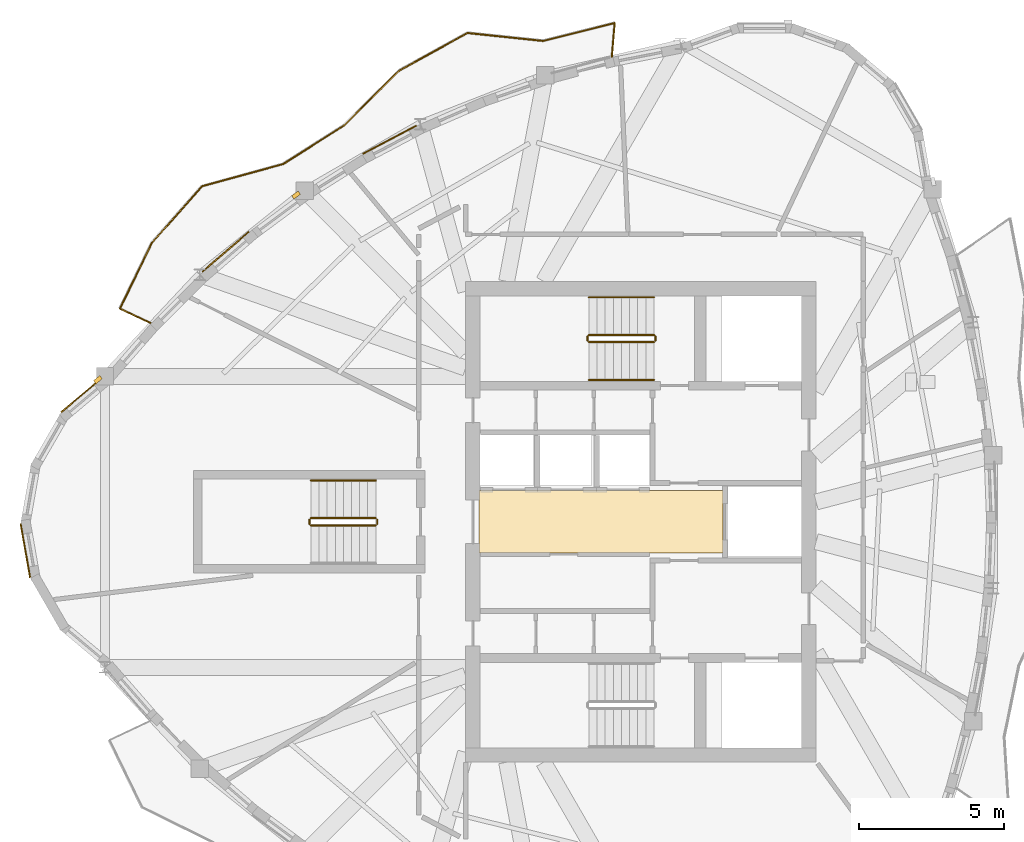
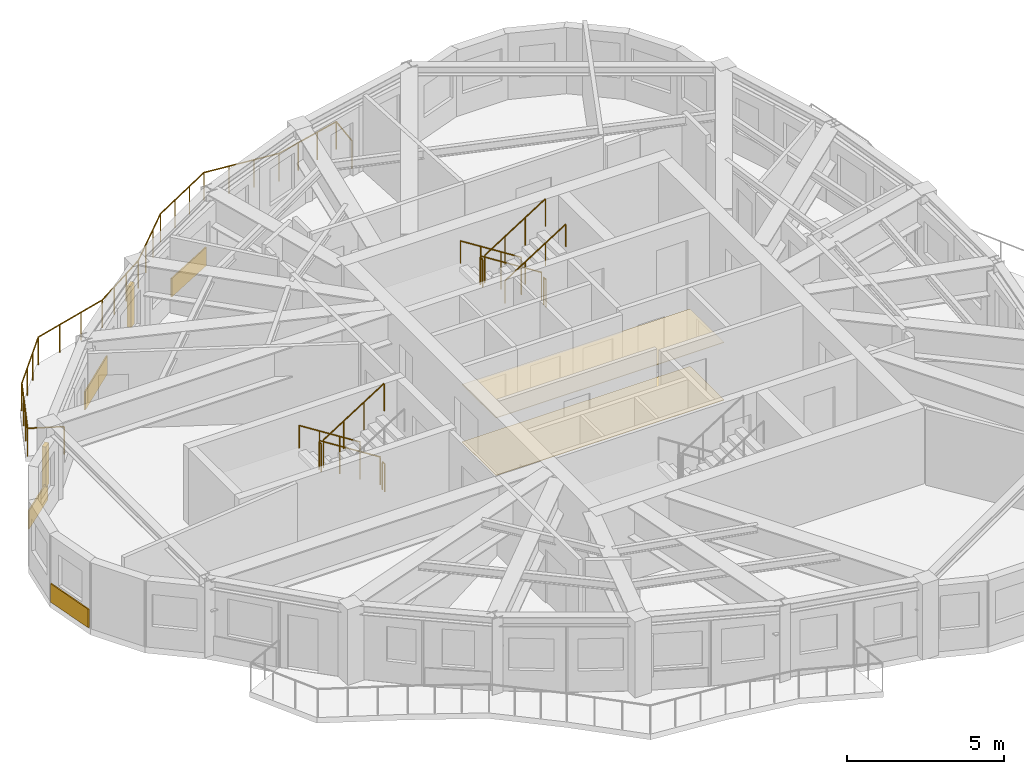
# One storey, part 9 of 11: 12 railings, 6 coverings, 2 shading devices.
"""IFC4 building model written with IfcOpenShell, lengths in metres."""

from ifc_helpers import new_model, si_unit, direction, frame, origin, origin_2d, place, context, subcontext, project, spatial, polyline, rectangle, circle, outline, extrude, source, transform, mapped, material, layer, layer_set, type_object, element, save


model = new_model("IFC4")

# Units and contexts
model_context = context("Model", 3, precision=1e-05, world=origin(), true_north=direction((0.0, 1.0)))
body_context = subcontext(model_context, "Body", "Model", "MODEL_VIEW")
ifc_project = project(units=[si_unit("LENGTHUNIT", "METRE"), si_unit("AREAUNIT", "SQUARE_METRE"), si_unit("VOLUMEUNIT", "CUBIC_METRE"), si_unit("PLANEANGLEUNIT", "RADIAN"), si_unit("MASSUNIT", "GRAM", prefix="KILO")], contexts=[model_context])

# Site, building, storey
site_placement = place(None, origin())
site = spatial("IfcSite", under=ifc_project, at=site_placement, CompositionType="ELEMENT")
building_placement = place(site_placement, origin())
building = spatial("IfcBuilding", under=site, at=building_placement, Name="Qafzar Sky-Pleat Residences", CompositionType="ELEMENT")
storey_placement = place(building_placement, frame((0.0, 0.0, 221.199951171875)))
storey = spatial("IfcBuildingStorey", under=building, at=storey_placement, Name="L66", CompositionType="ELEMENT", Elevation=221.199951171875)

# Coverings
ifc_material_1 = material(Name="Perforated acoustic gypsum board ceiling")
ifc_layer_1 = layer(ifc_material_1, 0.02001953125)
ifc_layer_set_1 = layer_set([ifc_layer_1], Name="Perforated acoustic gypsum board ceiling")
covering_type_1 = type_object("IfcCoveringType", Name="COV-CEIL-ACOUSTIC", PredefinedType="CEILING", material=ifc_layer_set_1)
covering_1_placement = place(storey_placement, frame((0.0, 0.0, 2.239990234375)))
element("IfcCovering", 1, at=covering_1_placement, inside=storey, type_object=covering_type_1, Name="L66 Passenger Lift Lobby Acoustic Ceiling", PredefinedType="CEILING", context=body_context, shape_type="SweptSolid", body=[
    extrude(outline(polyline([(33.179931640625, 24.919921875), (24.77001953125, 24.919921875), (24.77001953125, 27.080078125), (33.179931640625, 27.080078125), (33.179931640625, 24.919921875)])), origin(), (0.0, 0.0, 1.0), 0.02001953125),
])
ifc_material_2 = material(Name="Honed porcelain and Riyadh stone tile flooring", Category="masonry")
ifc_layer_2 = layer(ifc_material_2, 0.02001953125)
ifc_layer_set_2 = layer_set([ifc_layer_2], Name="Honed porcelain and Riyadh stone tile flooring")
covering_type_2 = type_object("IfcCoveringType", Name="COV-FLR-PORCELAIN", PredefinedType="FLOORING", material=ifc_layer_set_2)
covering_2_placement = place(storey_placement, origin())
element("IfcCovering", 2, at=covering_2_placement, inside=storey, type_object=covering_type_2, Name="L66 Passenger Lift Lobby Honed Stone Flooring", PredefinedType="FLOORING", context=body_context, shape_type="SweptSolid", body=[
    extrude(outline(polyline([(33.179931640625, 24.919921875), (24.77001953125, 24.919921875), (24.77001953125, 27.080078125), (33.179931640625, 27.080078125), (33.179931640625, 24.919921875)])), origin(), (0.0, 0.0, 1.0), 0.02001953125),
])

# Shading devices
ifc_material_3 = material(Name="Honed Riyadh limestone solar fin", Category="masonry")
ifc_layer_3 = layer(ifc_material_3, 0.139892578125)
ifc_layer_set_3 = layer_set([ifc_layer_3], Name="Honed Riyadh limestone solar fin")
shading_device_type = type_object("IfcShadingDeviceType", Name="SHD-FIN-STONE", PredefinedType="SHUTTER", material=ifc_layer_set_3)
shared_shape_1 = source(origin(), body_context, "Body", "SweptSolid", [
    extrude(rectangle(XDim=0.139892578125, YDim=0.280029296875, at=origin_2d()), origin(), (0.0, 0.0, 1.0), 1.60009765625),
])
for number, where, z_axis, x_axis, name in (
    (3, (11.608154296875, 30.90478515625, 0.60009765625), (0.0, 0.0, 1.0), (-0.642754210861, 0.76607246682, 0.0), "L66 Limestone Solar Fin 1"),
    (4, (18.4462890625, 37.279296875, 0.60009765625), (0.0, 0.0, 1.0), (-0.594882727746, 0.803812503156, 0.0), "L66 Limestone Solar Fin 45"),
):
    element("IfcShadingDevice", number, at=place(storey_placement, frame(where, z_axis=z_axis, x_axis=x_axis)), inside=storey, type_object=shading_device_type, Name=name, PredefinedType="SHUTTER", context=body_context, shape_type="MappedRepresentation", body=[
        mapped(shared_shape_1, transform((0.0, 0.0, 0.0), x_axis=(1.0, 0.0, 0.0), y_axis=(0.0, 1.0, 0.0), z_axis=(0.0, 0.0, 1.0), scale=1.0)),
    ])

# Coverings
ifc_material_4 = material(Name="Honed Riyadh Tuwaiq limestone cladding", Category="masonry")
ifc_layer_4 = layer(ifc_material_4, 0.044921875)
ifc_layer_set_4 = layer_set([ifc_layer_4], Name="Honed Riyadh Tuwaiq limestone cladding")
covering_type_3 = type_object("IfcCoveringType", Name="COV-CLAD-STONE", PredefinedType="CLADDING", material=ifc_layer_set_4)
shared_shape_2 = source(origin(), body_context, "Body", "SweptSolid", [
    extrude(rectangle(XDim=1.88134765625, YDim=0.044921875, at=origin_2d()), origin(), (0.0, 0.0, 1.0), 0.719970703125),
])
covering_3_placement = place(storey_placement, frame((9.103271484375, 25.00439453125, 0.02001953125), z_axis=(0.0, 0.0, 1.0), x_axis=(0.173662519465, -0.984805224059, 0.0)))
element("IfcCovering", 5, at=covering_3_placement, inside=storey, type_object=covering_type_3, Name="L66 Riyadh Limestone Spandrel Cladding 4", PredefinedType="CLADDING", context=body_context, shape_type="MappedRepresentation", body=[
    mapped(shared_shape_2, transform((0.0, 0.0, 0.0), x_axis=(1.0, 0.0, 0.0), y_axis=(0.0, 1.0, 0.0), z_axis=(0.0, 0.0, 1.0), scale=1.0)),
])
shared_shape_3 = source(origin(), body_context, "Body", "SweptSolid", [
    extrude(rectangle(XDim=1.76611328125, YDim=0.044921875, at=origin_2d()), origin(), (0.0, 0.0, 1.0), 0.719970703125),
])
covering_4_placement = place(storey_placement, frame((11.015380859375, 30.351318359375, 0.02001953125), z_axis=(0.0, 0.0, 1.0), x_axis=(-0.76607417096, -0.642752179762, 0.0)))
element("IfcCovering", 6, at=covering_4_placement, inside=storey, type_object=covering_type_3, Name="L66 Riyadh Limestone Spandrel Cladding 1", PredefinedType="CLADDING", context=body_context, shape_type="MappedRepresentation", body=[
    mapped(shared_shape_3, transform((0.0, 0.0, 0.0), x_axis=(1.0, 0.0, 0.0), y_axis=(0.0, 1.0, 0.0), z_axis=(0.0, 0.0, 1.0), scale=1.0)),
])
shared_shape_4 = source(origin(), body_context, "Body", "SweptSolid", [
    extrude(rectangle(XDim=2.0830078125, YDim=0.044921875, at=origin_2d()), origin(), (0.0, 0.0, 1.0), 0.719970703125),
])
covering_5_placement = place(storey_placement, frame((21.677001953125, 39.1904296875, 0.02001953125), z_axis=(0.0, 0.0, 1.0), x_axis=(-0.884395651499, -0.466737968896, 0.0)))
element("IfcCovering", 7, at=covering_5_placement, inside=storey, type_object=covering_type_3, Name="L66 Riyadh Limestone Spandrel Cladding 43", PredefinedType="CLADDING", context=body_context, shape_type="MappedRepresentation", body=[
    mapped(shared_shape_4, transform((0.0, 0.0, 0.0), x_axis=(1.0, 0.0, 0.0), y_axis=(0.0, 1.0, 0.0), z_axis=(0.0, 0.0, 1.0), scale=1.0)),
])
shared_shape_5 = source(origin(), body_context, "Body", "SweptSolid", [
    extrude(rectangle(XDim=2.11865234375, YDim=0.044921875, at=origin_2d()), origin(), (0.0, 0.0, 1.0), 0.719970703125),
])
covering_6_placement = place(storey_placement, frame((16.01953125, 35.324462890625, 0.02001953125), z_axis=(0.0, 0.0, 1.0), x_axis=(-0.757484574267, -0.652853061376, 0.0)))
element("IfcCovering", 8, at=covering_6_placement, inside=storey, type_object=covering_type_3, Name="L66 Riyadh Limestone Spandrel Cladding 46", PredefinedType="CLADDING", context=body_context, shape_type="MappedRepresentation", body=[
    mapped(shared_shape_5, transform((0.0, 0.0, 0.0), x_axis=(1.0, 0.0, 0.0), y_axis=(0.0, 1.0, 0.0), z_axis=(0.0, 0.0, 1.0), scale=1.0)),
])

# Railings
ifc_material_5 = material(Name="Laminated glass and bronze steel balustrade", Category="steel")
railing_type_1 = type_object("IfcRailingType", Name="RAIL-BAL-1100", PredefinedType="BALUSTRADE", material=ifc_material_5)
shared_shape_6 = source(origin(), body_context, "Body", "SweptSolid", [
    extrude(circle(Radius=0.02392578125, at=origin_2d()), frame((0.0, 0.0, 1.076171875), z_axis=(0.083525741436, 0.996505619913, 0.0), x_axis=(-0.996505619913, 0.083525741436, 0.0)), (0.0, 0.0, 1.0), 1.177978515625),
    extrude(circle(Radius=0.02392578125, at=origin_2d()), frame((0.098388671875, 1.173828125, 1.076171875), z_axis=(-0.970085963731, -0.242761658779, 0.0), x_axis=(0.242761658779, -0.970085963731, 0.0)), (0.0, 0.0, 1.0), 2.541259765625),
    extrude(circle(Radius=0.02392578125, at=origin_2d()), frame((-2.366943359375, 0.556884765625, 1.076171875), z_axis=(-0.994540528943, 0.104351024386, 0.0), x_axis=(-0.104351024386, -0.994540528943, 0.0)), (0.0, 0.0, 1.0), 2.62744140625),
    extrude(circle(Radius=0.02392578125, at=origin_2d()), frame((-4.97998046875, 0.8310546875, 1.076171875), z_axis=(-0.875910423282, -0.482473761345, 0.0), x_axis=(0.482473761345, -0.875910423282, 0.0)), (0.0, 0.0, 1.0), 2.684326171875),
    extrude(circle(Radius=0.02392578125, at=origin_2d()), frame((-7.331298828125, -0.464111328125, 1.076171875), z_axis=(-0.709638596907, -0.704565867595, 0.0), x_axis=(0.704565867595, -0.709638596907, 0.0)), (0.0, 0.0, 1.0), 2.695068359375),
    extrude(circle(Radius=0.02392578125, at=origin_2d()), frame((-9.243896484375, -2.363037109375, 1.076171875), z_axis=(-0.84481759386, -0.535054420695, 0.0), x_axis=(0.535054420695, -0.84481759386, 0.0)), (0.0, 0.0, 1.0), 2.482666015625),
    extrude(circle(Radius=0.02392578125, at=origin_2d()), frame((-11.34130859375, -3.69140625, 1.076171875), z_axis=(-0.964468266702, -0.264198717871, 0.0), x_axis=(0.264198717871, -0.964468266702, 0.0)), (0.0, 0.0, 1.0), 2.903564453125),
    extrude(circle(Radius=0.02392578125, at=origin_2d()), frame((-14.1416015625, -4.45849609375, 1.076171875), z_axis=(-0.663436920311, -0.748232218478, 0.0), x_axis=(0.748232218478, -0.663436920311, 0.0)), (0.0, 0.0, 1.0), 2.6171875),
    extrude(circle(Radius=0.02392578125, at=origin_2d()), frame((-15.8779296875, -6.416748046875, 1.076171875), z_axis=(-0.436294891901, -0.899803738213, 0.0), x_axis=(0.899803738213, -0.436294891901, 0.0)), (0.0, 0.0, 1.0), 2.52099609375),
    extrude(circle(Radius=0.02392578125, at=origin_2d()), frame((-16.977783203125, -8.68505859375, 1.076171875), z_axis=(0.904748228612, -0.42594676055, 0.0), x_axis=(0.42594676055, 0.904748228612, 0.0)), (0.0, 0.0, 1.0), 1.177978515625),
    extrude(circle(Radius=0.02099609375, at=origin_2d()), origin(), (0.0, 0.0, 1.0), 1.052001953125),
    extrude(circle(Radius=0.02099609375, at=origin_2d()), frame((0.098388671875, 1.173828125, 0.0)), (0.0, 0.0, 1.0), 1.052001953125),
    extrude(circle(Radius=0.02099609375, at=origin_2d()), frame((-0.723388671875, 0.96826171875, 0.0)), (0.0, 0.0, 1.0), 1.052001953125),
    extrude(circle(Radius=0.02099609375, at=origin_2d()), frame((-1.545166015625, 0.762451171875, 0.0)), (0.0, 0.0, 1.0), 1.052001953125),
    extrude(circle(Radius=0.02099609375, at=origin_2d()), frame((-2.366943359375, 0.556884765625, 0.0)), (0.0, 0.0, 1.0), 1.052001953125),
    extrude(circle(Radius=0.02099609375, at=origin_2d()), frame((-3.238037109375, 0.648193359375, 0.0)), (0.0, 0.0, 1.0), 1.052001953125),
    extrude(circle(Radius=0.02099609375, at=origin_2d()), frame((-4.10888671875, 0.73974609375, 0.0)), (0.0, 0.0, 1.0), 1.052001953125),
    extrude(circle(Radius=0.02099609375, at=origin_2d()), frame((-4.97998046875, 0.8310546875, 0.0)), (0.0, 0.0, 1.0), 1.052001953125),
    extrude(circle(Radius=0.02099609375, at=origin_2d()), frame((-5.763671875, 0.3994140625, 0.0)), (0.0, 0.0, 1.0), 1.052001953125),
    extrude(circle(Radius=0.02099609375, at=origin_2d()), frame((-6.547607421875, -0.032470703125, 0.0)), (0.0, 0.0, 1.0), 1.052001953125),
    extrude(circle(Radius=0.02099609375, at=origin_2d()), frame((-7.331298828125, -0.464111328125, 0.0)), (0.0, 0.0, 1.0), 1.052001953125),
    extrude(circle(Radius=0.02099609375, at=origin_2d()), frame((-7.96875, -1.09716796875, 0.0)), (0.0, 0.0, 1.0), 1.052001953125),
    extrude(circle(Radius=0.02099609375, at=origin_2d()), frame((-8.6064453125, -1.72998046875, 0.0)), (0.0, 0.0, 1.0), 1.052001953125),
    extrude(circle(Radius=0.02099609375, at=origin_2d()), frame((-9.243896484375, -2.363037109375, 0.0)), (0.0, 0.0, 1.0), 1.052001953125),
    extrude(circle(Radius=0.02099609375, at=origin_2d()), frame((-9.943115234375, -2.805908203125, 0.0)), (0.0, 0.0, 1.0), 1.052001953125),
    extrude(circle(Radius=0.02099609375, at=origin_2d()), frame((-10.64208984375, -3.24853515625, 0.0)), (0.0, 0.0, 1.0), 1.052001953125),
    extrude(circle(Radius=0.02099609375, at=origin_2d()), frame((-11.34130859375, -3.69140625, 0.0)), (0.0, 0.0, 1.0), 1.052001953125),
    extrude(circle(Radius=0.02099609375, at=origin_2d()), frame((-12.274658203125, -3.947021484375, 0.0)), (0.0, 0.0, 1.0), 1.052001953125),
    extrude(circle(Radius=0.02099609375, at=origin_2d()), frame((-13.208251953125, -4.202880859375, 0.0)), (0.0, 0.0, 1.0), 1.052001953125),
    extrude(circle(Radius=0.02099609375, at=origin_2d()), frame((-14.1416015625, -4.45849609375, 0.0)), (0.0, 0.0, 1.0), 1.052001953125),
    extrude(circle(Radius=0.02099609375, at=origin_2d()), frame((-14.720458984375, -5.111328125, 0.0)), (0.0, 0.0, 1.0), 1.052001953125),
    extrude(circle(Radius=0.02099609375, at=origin_2d()), frame((-15.299072265625, -5.763916015625, 0.0)), (0.0, 0.0, 1.0), 1.052001953125),
    extrude(circle(Radius=0.02099609375, at=origin_2d()), frame((-15.8779296875, -6.416748046875, 0.0)), (0.0, 0.0, 1.0), 1.052001953125),
    extrude(circle(Radius=0.02099609375, at=origin_2d()), frame((-16.24462890625, -7.1728515625, 0.0)), (0.0, 0.0, 1.0), 1.052001953125),
    extrude(circle(Radius=0.02099609375, at=origin_2d()), frame((-16.611083984375, -7.928955078125, 0.0)), (0.0, 0.0, 1.0), 1.052001953125),
    extrude(circle(Radius=0.02099609375, at=origin_2d()), frame((-16.977783203125, -8.68505859375, 0.0)), (0.0, 0.0, 1.0), 1.052001953125),
    extrude(circle(Radius=0.02099609375, at=origin_2d()), frame((-15.912109375, -9.186767578125, 0.0)), (0.0, 0.0, 1.0), 1.052001953125),
])
railing_1_placement = place(storey_placement, frame((29.34619140625, 42.0419921875, 0.0)))
element("IfcRailing", 9, at=railing_1_placement, inside=storey, type_object=railing_type_1, Name="L66 Pleated Balcony 2 Balustrade", PredefinedType="BALUSTRADE", context=body_context, shape_type="MappedRepresentation", body=[
    mapped(shared_shape_6, transform((0.0, 0.0, 0.0), x_axis=(1.0, 0.0, 0.0), y_axis=(0.0, 1.0, 0.0), z_axis=(0.0, 0.0, 1.0), scale=1.0)),
])
ifc_material_6 = material(Name="Painted Steel S355 stair guardrail", Category="steel")
railing_type_2 = type_object("IfcRailingType", Name="RAIL-STAIR-GUARD", PredefinedType="GUARDRAIL", material=ifc_material_6)
shared_shape_7 = source(origin(), body_context, "Body", "SweptSolid", [
    extrude(circle(Radius=0.02392578125, at=origin_2d()), frame((0.0, 0.0, 1.076171875), z_axis=(0.0, -1.0, 0.0), x_axis=(1.0, 0.0, 0.0)), (0.0, 0.0, 1.0), 0.14990234375),
    extrude(circle(Radius=0.02099609375, at=origin_2d()), origin(), (0.0, 0.0, 1.0), 1.052001953125),
    extrude(circle(Radius=0.02099609375, at=origin_2d()), frame((0.0, -0.14990234375, 0.0)), (0.0, 0.0, 1.0), 1.052001953125),
])
for number, where, name in (
    (10, (28.510009765625, 32.39990234375, 1.60009765625), "L66 ST2 stair guard 2"),
    (11, (30.85009765625, 32.39990234375, 0.0), "L66 ST2 stair guard 4"),
    (12, (18.909912109375, 26.074951171875, 1.60009765625), "L66 ST3 stair guard 2"),
    (13, (21.25, 26.074951171875, 0.0), "L66 ST3 stair guard 4"),
):
    element("IfcRailing", number, at=place(storey_placement, frame(where)), inside=storey, type_object=railing_type_2, Name=name, PredefinedType="GUARDRAIL", context=body_context, shape_type="MappedRepresentation", body=[
        mapped(shared_shape_7, transform((0.0, 0.0, 0.0), x_axis=(1.0, 0.0, 0.0), y_axis=(0.0, 1.0, 0.0), z_axis=(0.0, 0.0, 1.0), scale=1.0)),
    ])
shared_shape_8 = source(origin(), body_context, "Body", "SweptSolid", [
    extrude(circle(Radius=0.02392578125, at=origin_2d()), frame((0.0, 0.0, 1.076171875), z_axis=(0.8442293374, 0.0, 0.53598211339), x_axis=(0.0, 1.0, 0.0)), (0.0, 0.0, 1.0), 2.6533203125),
    extrude(circle(Radius=0.02099609375, at=origin_2d()), origin(), (0.0, 0.0, 1.0), 1.052001953125),
    extrude(circle(Radius=0.02099609375, at=origin_2d()), frame((0.74658203125, 0.0, 0.47412109375)), (0.0, 0.0, 1.0), 1.052001953125),
    extrude(circle(Radius=0.02099609375, at=origin_2d()), frame((1.493408203125, 0.0, 0.947998046875)), (0.0, 0.0, 1.0), 1.052001953125),
    extrude(circle(Radius=0.02099609375, at=origin_2d()), frame((2.239990234375, 0.0, 1.422119140625)), (0.0, 0.0, 1.0), 1.052001953125),
])
for number, where, name in (
    (14, (28.56005859375, 32.199951171875, 1.77783203125), "L66 ST2 stair guard 3"),
    (15, (18.9599609375, 25.875, 1.77783203125), "L66 ST3 stair guard 3"),
):
    element("IfcRailing", number, at=place(storey_placement, frame(where)), inside=storey, type_object=railing_type_2, Name=name, PredefinedType="GUARDRAIL", context=body_context, shape_type="MappedRepresentation", body=[
        mapped(shared_shape_8, transform((0.0, 0.0, 0.0), x_axis=(1.0, 0.0, 0.0), y_axis=(0.0, 1.0, 0.0), z_axis=(0.0, 0.0, 1.0), scale=1.0)),
    ])
ifc_material_7 = material(Name="Brushed stainless steel handrail", Category="steel")
railing_type_3 = type_object("IfcRailingType", Name="RAIL-STAIR-HAND", PredefinedType="HANDRAIL", material=ifc_material_7)
shared_shape_9 = source(origin(), body_context, "Body", "SweptSolid", [
    extrude(circle(Radius=0.02392578125, at=origin_2d()), frame((0.0, 0.0, 0.8759765625), z_axis=(0.8442293374, 0.0, 0.53598211339), x_axis=(0.0, 1.0, 0.0)), (0.0, 0.0, 1.0), 2.6533203125),
    extrude(circle(Radius=0.02099609375, at=origin_2d()), origin(), (0.0, 0.0, 1.0), 0.851806640625),
    extrude(circle(Radius=0.02099609375, at=origin_2d()), frame((0.74658203125, 0.0, 0.47412109375)), (0.0, 0.0, 1.0), 0.851806640625),
    extrude(circle(Radius=0.02099609375, at=origin_2d()), frame((1.493408203125, 0.0, 0.947998046875)), (0.0, 0.0, 1.0), 0.851806640625),
    extrude(circle(Radius=0.02099609375, at=origin_2d()), frame((2.239990234375, 0.0, 1.422119140625)), (0.0, 0.0, 1.0), 0.851806640625),
])
railing_2_placement = place(storey_placement, frame((28.56005859375, 30.89990234375, 1.77783203125)))
element("IfcRailing", 16, at=railing_2_placement, inside=storey, type_object=railing_type_3, Name="L66 ST2 stair handrail 2", PredefinedType="HANDRAIL", context=body_context, shape_type="MappedRepresentation", body=[
    mapped(shared_shape_9, transform((0.0, 0.0, 0.0), x_axis=(1.0, 0.0, 0.0), y_axis=(0.0, 1.0, 0.0), z_axis=(0.0, 0.0, 1.0), scale=1.0)),
])
shared_shape_10 = source(origin(), body_context, "Body", "SweptSolid", [
    extrude(circle(Radius=0.02392578125, at=origin_2d()), frame((0.0, 0.0, 1.076171875), z_axis=(-0.84418770128, 0.0, 0.536047689118), x_axis=(0.0, -1.0, 0.0)), (0.0, 0.0, 1.0), 2.6533203125),
    extrude(circle(Radius=0.02099609375, at=origin_2d()), origin(), (0.0, 0.0, 1.0), 1.052001953125),
    extrude(circle(Radius=0.02099609375, at=origin_2d()), frame((-0.74658203125, 0.0, 0.47412109375)), (0.0, 0.0, 1.0), 1.052001953125),
    extrude(circle(Radius=0.02099609375, at=origin_2d()), frame((-1.493408203125, 0.0, 0.9482421875)), (0.0, 0.0, 1.0), 1.052001953125),
    extrude(circle(Radius=0.02099609375, at=origin_2d()), frame((-2.239990234375, 0.0, 1.42236328125)), (0.0, 0.0, 1.0), 1.052001953125),
])
for number, where, name in (
    (17, (30.800048828125, 32.449951171875, 0.177734375), "L66 ST2 stair guard 1"),
    (18, (21.199951171875, 26.125, 0.177734375), "L66 ST3 stair guard 1"),
):
    element("IfcRailing", number, at=place(storey_placement, frame(where)), inside=storey, type_object=railing_type_2, Name=name, PredefinedType="GUARDRAIL", context=body_context, shape_type="MappedRepresentation", body=[
        mapped(shared_shape_10, transform((0.0, 0.0, 0.0), x_axis=(1.0, 0.0, 0.0), y_axis=(0.0, 1.0, 0.0), z_axis=(0.0, 0.0, 1.0), scale=1.0)),
    ])
shared_shape_11 = source(origin(), body_context, "Body", "SweptSolid", [
    extrude(circle(Radius=0.02392578125, at=origin_2d()), frame((0.0, 0.0, 0.8759765625), z_axis=(-0.84418770128, 0.0, 0.536047689118), x_axis=(0.0, -1.0, 0.0)), (0.0, 0.0, 1.0), 2.6533203125),
    extrude(circle(Radius=0.02099609375, at=origin_2d()), origin(), (0.0, 0.0, 1.0), 0.851806640625),
    extrude(circle(Radius=0.02099609375, at=origin_2d()), frame((-0.74658203125, 0.0, 0.47412109375)), (0.0, 0.0, 1.0), 0.851806640625),
    extrude(circle(Radius=0.02099609375, at=origin_2d()), frame((-1.493408203125, 0.0, 0.9482421875)), (0.0, 0.0, 1.0), 0.851806640625),
    extrude(circle(Radius=0.02099609375, at=origin_2d()), frame((-2.239990234375, 0.0, 1.42236328125)), (0.0, 0.0, 1.0), 0.851806640625),
])
for number, where, name in (
    (19, (30.800048828125, 33.75, 0.177734375), "L66 ST2 stair handrail 1"),
    (20, (21.199951171875, 27.425048828125, 0.177734375), "L66 ST3 stair handrail 1"),
):
    element("IfcRailing", number, at=place(storey_placement, frame(where)), inside=storey, type_object=railing_type_3, Name=name, PredefinedType="HANDRAIL", context=body_context, shape_type="MappedRepresentation", body=[
        mapped(shared_shape_11, transform((0.0, 0.0, 0.0), x_axis=(1.0, 0.0, 0.0), y_axis=(0.0, 1.0, 0.0), z_axis=(0.0, 0.0, 1.0), scale=1.0)),
    ])

save(model, "model.ifc")
